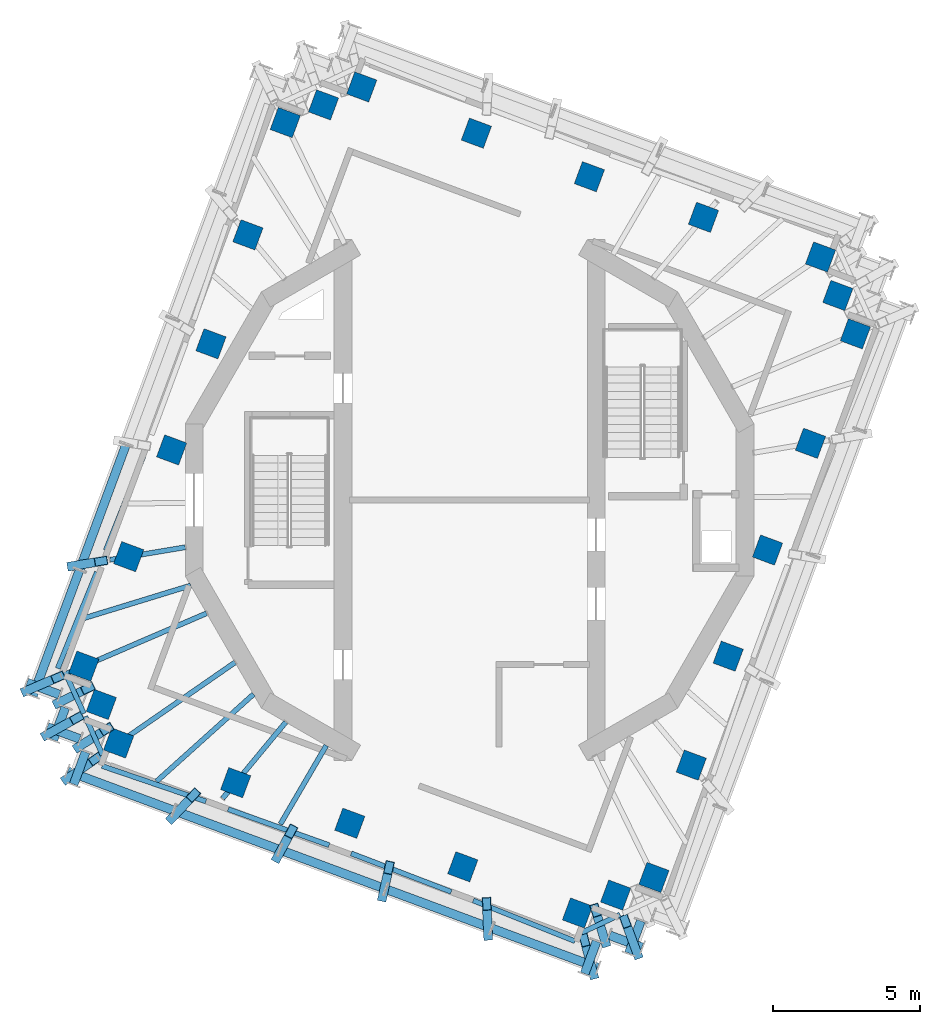
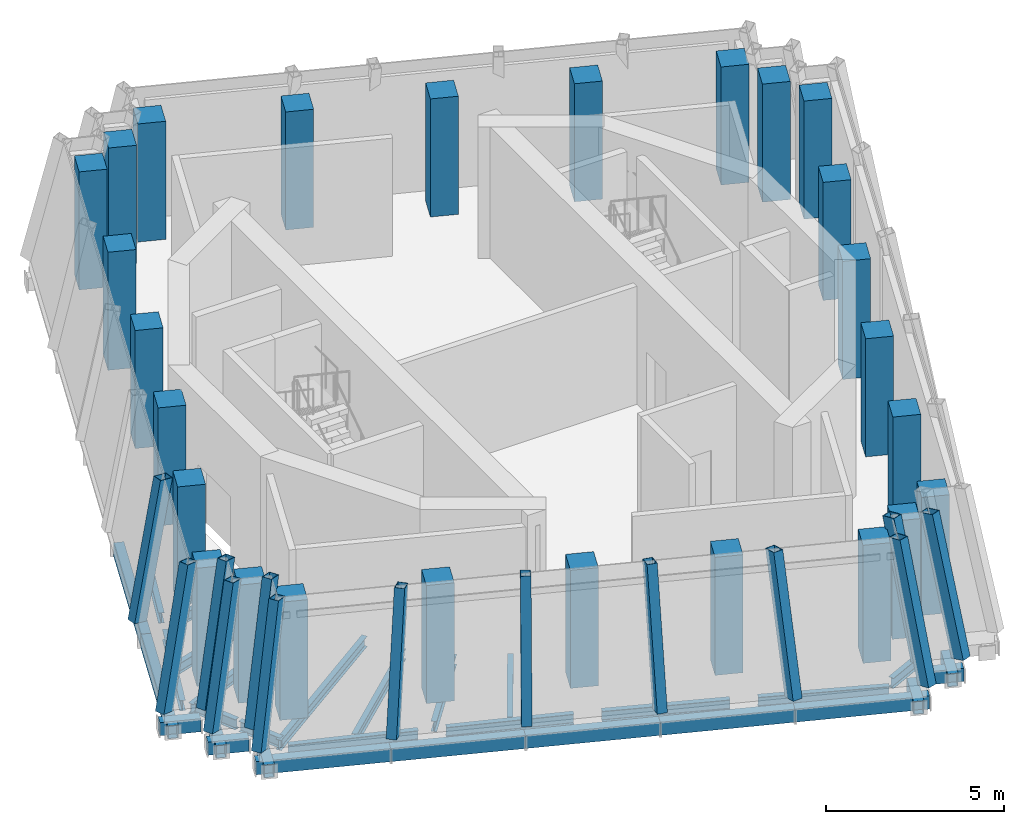
# One storey, part 1 of 11: 27 members, 26 columns, 16 beams, 14 elements without a shape of their own.
"""IFC4 building model written with IfcOpenShell, lengths in metres."""

from ifc_helpers import new_model, si_unit, direction, frame, origin, origin_2d, place, context, subcontext, project, spatial, rectangle, hollow_rectangle, i_section, extrude, material, material_profile, profile_set, type_object, element, aggregate, save


model = new_model("IFC4")

# Units and contexts
model_context = context("Model", 3, precision=1e-05, world=origin(), true_north=direction((0.0, 1.0)))
body_context = subcontext(model_context, "Body", "Model", "MODEL_VIEW")
ifc_project = project(units=[si_unit("LENGTHUNIT", "METRE"), si_unit("AREAUNIT", "SQUARE_METRE"), si_unit("VOLUMEUNIT", "CUBIC_METRE"), si_unit("PLANEANGLEUNIT", "RADIAN"), si_unit("MASSUNIT", "GRAM", prefix="KILO")], contexts=[model_context])

# Site, building, storey
site_placement = place(None, origin())
site = spatial("IfcSite", under=ifc_project, at=site_placement, CompositionType="ELEMENT")
building_placement = place(site_placement, origin())
building = spatial("IfcBuilding", under=site, at=building_placement, Name="Cantera Rosa Tower", CompositionType="ELEMENT")
storey_placement = place(building_placement, frame((0.0, 0.0, 365.199951171875)))
storey = spatial("IfcBuildingStorey", under=building, at=storey_placement, Name="L82", CompositionType="ELEMENT", Elevation=365.199951171875)

# Columns
ifc_material_1 = material(Name="Concrete C50/60", Category="concrete")
ifc_material_profile_1 = material_profile(ifc_material_1, rectangle(XDim=0.800048828125, YDim=0.800048828125, at=origin_2d()), Name="RC COLUMN RC800X800 C50/60")
ifc_profile_set_1 = profile_set([ifc_material_profile_1], Name="Concrete C50/60")
column_type = type_object("IfcColumnType", Name="RC COLUMN RC800X800 C50/60", PredefinedType="COLUMN", material=ifc_profile_set_1)
for number, where, z_axis, x_axis, name in (
    (1, (11.92333984375, 8.255859375, 0.0), (0.0, 0.0, 1.0), (0.347481234489, 0.937686936924, 0.0), "C-Z6-01 L82"),
    (2, (7.946533203125, 9.603271484375, 0.0), (0.0, 0.0, 1.0), (0.347481234489, 0.937686936924, 0.0), "C-Z6-02 L82"),
    (3, (4.070068359375, 10.983154296875, 0.0), (0.0, 0.0, 1.0), (0.347481234489, 0.937686936924, 0.0), "C-Z6-03 L82"),
    (4, (0.23046875, 12.462646484375, 0.0), (0.0, 0.0, 1.0), (0.347481234489, 0.937686936924, 0.0), "C-Z6-04 L82"),
    (5, (-3.6640625, 14.031982421875, 0.0), (0.0, 0.0, 1.0), (0.347481234489, 0.937686936924, 0.0), "C-Z6-05 L82"),
    (6, (-4.962646484375, 13.4228515625, 0.0), (0.0, 0.0, 1.0), (0.347481234489, 0.937686936924, 0.0), "C-Z6-06 L82"),
    (7, (-6.262939453125, 12.82275390625, 0.0), (0.0, 0.0, 1.0), (0.347481234489, 0.937686936924, 0.0), "C-Z6-07 L82"),
    (8, (-7.530517578125, 9.008056640625, 0.0), (0.0, 0.0, 1.0), (0.347481234489, 0.937686936924, 0.0), "C-Z6-08 L82"),
    (9, (-8.786376953125, 5.306396484375, 0.0), (0.0, 0.0, 1.0), (0.347481234489, 0.937686936924, 0.0), "C-Z6-09 L82"),
    (10, (-10.12255859375, 1.70068359375, 0.0), (0.0, 0.0, 1.0), (0.347481234489, 0.937686936924, 0.0), "C-Z6-10 L82"),
    (11, (-11.582275390625, -1.925537109375, 0.0), (0.0, 0.0, 1.0), (0.347481234489, 0.937686936924, 0.0), "C-Z6-11 L82"),
    (12, (-13.106689453125, -5.644775390625, 0.0), (0.0, 0.0, 1.0), (0.347481234489, 0.937686936924, 0.0), "C-Z6-12 L82"),
    (13, (-12.51123046875, -6.947509765625, 0.0), (0.0, 0.0, 1.0), (0.347481234489, 0.937686936924, 0.0), "C-Z6-13 L82"),
    (14, (-11.92333984375, -8.255859375, 0.0), (0.0, 0.0, 1.0), (0.347481234489, 0.937686936924, 0.0), "C-Z6-14 L82"),
    (15, (-7.946533203125, -9.603271484375, 0.0), (0.0, 0.0, 1.0), (0.347481234489, 0.937686936924, 0.0), "C-Z6-15 L82"),
    (16, (-4.070068359375, -10.983154296875, 0.0), (0.0, 0.0, 1.0), (0.347481234489, 0.937686936924, 0.0), "C-Z6-16 L82"),
    (17, (-0.23046875, -12.462646484375, 0.0), (0.0, 0.0, 1.0), (0.347481234489, 0.937686936924, 0.0), "C-Z6-17 L82"),
    (18, (3.6640625, -14.031982421875, 0.0), (0.0, 0.0, 1.0), (0.347481234489, 0.937686936924, 0.0), "C-Z6-18 L82"),
    (19, (4.962646484375, -13.4228515625, 0.0), (0.0, 0.0, 1.0), (0.347481234489, 0.937686936924, 0.0), "C-Z6-19 L82"),
    (20, (6.262939453125, -12.82275390625, 0.0), (0.0, 0.0, 1.0), (0.347481234489, 0.937686936924, 0.0), "C-Z6-20 L82"),
    (21, (7.530517578125, -9.008056640625, 0.0), (0.0, 0.0, 1.0), (0.347481234489, 0.937686936924, 0.0), "C-Z6-21 L82"),
    (22, (8.786376953125, -5.306396484375, 0.0), (0.0, 0.0, 1.0), (0.347481234489, 0.937686936924, 0.0), "C-Z6-22 L82"),
    (23, (10.12255859375, -1.70068359375, 0.0), (0.0, 0.0, 1.0), (0.347481234489, 0.937686936924, 0.0), "C-Z6-23 L82"),
    (24, (11.582275390625, 1.925537109375, 0.0), (0.0, 0.0, 1.0), (0.347481234489, 0.937686936924, 0.0), "C-Z6-24 L82"),
    (25, (13.106689453125, 5.644775390625, 0.0), (0.0, 0.0, 1.0), (0.347481234489, 0.937686936924, 0.0), "C-Z6-25 L82"),
    (26, (12.51123046875, 6.947509765625, 0.0), (0.0, 0.0, 1.0), (0.347481234489, 0.937686936924, 0.0), "C-Z6-26 L82"),
):
    element("IfcColumn", number, at=place(storey_placement, frame(where, z_axis=z_axis, x_axis=x_axis)), inside=storey, type_object=column_type, Name=name, PredefinedType="COLUMN", context=body_context, shape_type="SweptSolid", body=[
        extrude(rectangle(XDim=0.800048828125, YDim=0.800048828125, at=origin_2d()), origin(), (0.0, 0.0, 1.0), 4.050048828125),
    ])

# Curtain wall, member
ifc_material_2 = material(Name="Aluminium frame with clear glass", Category="aluminium")
curtain_wall_type = type_object("IfcCurtainWallType", Name="CW4 CROWN GLAZING", PredefinedType="NOTDEFINED", material=ifc_material_2)
curtain_wall_1_placement = place(storey_placement, origin())
curtain_wall_1 = element("IfcCurtainWall", 27, at=curtain_wall_1_placement, inside=storey, type_object=curtain_wall_type, Name="CW4 L82-14", PredefinedType="NOTDEFINED")
ifc_material_3 = material(Name="Steel S355J2 (EN 10025-2)", Category="steel")
ifc_material_profile_2 = material_profile(ifc_material_3, hollow_rectangle(XDim=0.300048828125, YDim=0.449951171875, WallThickness=0.01611328125, at=origin_2d()), Name="CROWN FRAME MULLION RHS 300x450x16")
ifc_profile_set_2 = profile_set([ifc_material_profile_2], Name="Steel S355J2 (EN 10025-2)")
member_type_1 = type_object("IfcMemberType", Name="CROWN FRAME MULLION RHS 300x450x16", PredefinedType="MULLION", material=ifc_profile_set_2)
member_1_placement = place(storey_placement, frame((-13.44677734375, -2.2353515625, 0.0), z_axis=(0.201752441202, 0.0335103423, 0.978863120885), x_axis=(-0.163851550291, 0.986485007219, 0.0)))
member_1 = element("IfcMember", 28, at=member_1_placement, type_object=member_type_1, Name="CROWN FRAME rib L82-14", PredefinedType="MULLION", context=body_context, shape_type="SweptSolid", body=[
    extrude(hollow_rectangle(XDim=0.300048828125, YDim=0.449951171875, WallThickness=0.01611328125, at=origin_2d()), origin(), (0.0, 0.0, 1.0), 4.59716796875),
])

curtain_wall_2_placement = place(storey_placement, origin())
curtain_wall_2 = element("IfcCurtainWall", 29, at=curtain_wall_2_placement, inside=storey, type_object=curtain_wall_type, Name="CW4 L82-15", PredefinedType="NOTDEFINED")
member_2_placement = place(storey_placement, frame((-15.0146484375, -6.466552734375, 0.0), z_axis=(0.223192294228, 0.096097413172, 0.970026023867), x_axis=(-0.395460887755, 0.918482817616, 0.0)))
member_2 = element("IfcMember", 30, at=member_2_placement, type_object=member_type_1, Name="CROWN FRAME rib L82-15", PredefinedType="MULLION", context=body_context, shape_type="SweptSolid", body=[
    extrude(hollow_rectangle(XDim=0.300048828125, YDim=0.449951171875, WallThickness=0.01611328125, at=origin_2d()), origin(), (0.0, 0.0, 1.0), 4.63916015625),
])

curtain_wall_3_placement = place(storey_placement, origin())
curtain_wall_3 = element("IfcCurtainWall", 31, at=curtain_wall_3_placement, inside=storey, type_object=curtain_wall_type, Name="CW4 L82-16", PredefinedType="NOTDEFINED")
member_3_placement = place(storey_placement, frame((-13.927001953125, -6.86962890625, 0.0), z_axis=(0.207634773249, 0.102392338613, 0.972832775934), x_axis=(-0.442282435739, 0.896875825874, 0.0)))
member_3 = element("IfcMember", 32, at=member_3_placement, type_object=member_type_1, Name="CROWN FRAME rib L82-16", PredefinedType="MULLION", context=body_context, shape_type="SweptSolid", body=[
    extrude(hollow_rectangle(XDim=0.300048828125, YDim=0.449951171875, WallThickness=0.01611328125, at=origin_2d()), origin(), (0.0, 0.0, 1.0), 4.625732421875),
])

curtain_wall_4_placement = place(storey_placement, origin())
curtain_wall_4 = element("IfcCurtainWall", 33, at=curtain_wall_4_placement, inside=storey, type_object=curtain_wall_type, Name="CW4 L82-17", PredefinedType="NOTDEFINED")
member_4_placement = place(storey_placement, frame((-14.330078125, -7.95751953125, 0.0), z_axis=(0.212999998171, 0.118286560249, 0.96986560432), x_axis=(-0.485496229045, 0.874238761199, 0.0)))
member_4 = element("IfcMember", 34, at=member_4_placement, type_object=member_type_1, Name="CROWN FRAME rib L82-17", PredefinedType="MULLION", context=body_context, shape_type="SweptSolid", body=[
    extrude(hollow_rectangle(XDim=0.300048828125, YDim=0.449951171875, WallThickness=0.01611328125, at=origin_2d()), origin(), (0.0, 0.0, 1.0), 4.639892578125),
])

curtain_wall_5_placement = place(storey_placement, origin())
curtain_wall_5 = element("IfcCurtainWall", 35, at=curtain_wall_5_placement, inside=storey, type_object=curtain_wall_type, Name="CW4 L82-18", PredefinedType="NOTDEFINED")
member_5_placement = place(storey_placement, frame((-13.2421875, -8.360595703125, 0.0), z_axis=(0.197305780867, 0.124608624173, 0.972390415223), x_axis=(-0.533975980115, 0.845499646753, 0.0)))
member_5 = element("IfcMember", 36, at=member_5_placement, type_object=member_type_1, Name="CROWN FRAME rib L82-18", PredefinedType="MULLION", context=body_context, shape_type="SweptSolid", body=[
    extrude(hollow_rectangle(XDim=0.300048828125, YDim=0.449951171875, WallThickness=0.01611328125, at=origin_2d()), origin(), (0.0, 0.0, 1.0), 4.627685546875),
])

curtain_wall_6_placement = place(storey_placement, origin())
curtain_wall_6 = element("IfcCurtainWall", 37, at=curtain_wall_6_placement, inside=storey, type_object=curtain_wall_type, Name="CW4 L82-19", PredefinedType="NOTDEFINED")
member_6_placement = place(storey_placement, frame((-13.645263671875, -9.4482421875, 0.0), z_axis=(0.202641387335, 0.140334681577, 0.969145316908), x_axis=(-0.569331987511, 0.822107710703, 0.0)))
member_6 = element("IfcMember", 38, at=member_6_placement, type_object=member_type_1, Name="CROWN FRAME rib L82-19", PredefinedType="MULLION", context=body_context, shape_type="SweptSolid", body=[
    extrude(hollow_rectangle(XDim=0.300048828125, YDim=0.449951171875, WallThickness=0.01611328125, at=origin_2d()), origin(), (0.0, 0.0, 1.0), 4.643310546875),
])

curtain_wall_7_placement = place(storey_placement, origin())
curtain_wall_7 = element("IfcCurtainWall", 39, at=curtain_wall_7_placement, inside=storey, type_object=curtain_wall_type, Name="CW4 L82-20", PredefinedType="NOTDEFINED")
member_7_placement = place(storey_placement, frame((-10.07763671875, -10.770263671875, 0.0), z_axis=(0.150658584128, 0.160977665233, 0.975391297031), x_axis=(-0.730120754726, 0.683318142243, 0.0)))
member_7 = element("IfcMember", 40, at=member_7_placement, type_object=member_type_1, Name="CROWN FRAME rib L82-20", PredefinedType="MULLION", context=body_context, shape_type="SweptSolid", body=[
    extrude(hollow_rectangle(XDim=0.300048828125, YDim=0.449951171875, WallThickness=0.01611328125, at=origin_2d()), origin(), (0.0, 0.0, 1.0), 4.613525390625),
])

curtain_wall_8_placement = place(storey_placement, origin())
curtain_wall_8 = element("IfcCurtainWall", 41, at=curtain_wall_8_placement, inside=storey, type_object=curtain_wall_type, Name="CW4 L82-21", PredefinedType="NOTDEFINED")
member_8_placement = place(storey_placement, frame((-6.510009765625, -12.092529296875, 0.0), z_axis=(0.097632922217, 0.181356205706, 0.978559011584), x_axis=(-0.880512480257, 0.474022965806, 0.0)))
member_8 = element("IfcMember", 42, at=member_8_placement, type_object=member_type_1, Name="CROWN FRAME rib L82-21", PredefinedType="MULLION", context=body_context, shape_type="SweptSolid", body=[
    extrude(hollow_rectangle(XDim=0.300048828125, YDim=0.449951171875, WallThickness=0.01611328125, at=origin_2d()), origin(), (0.0, 0.0, 1.0), 4.5986328125),
])

curtain_wall_9_placement = place(storey_placement, origin())
curtain_wall_9 = element("IfcCurtainWall", 43, at=curtain_wall_9_placement, inside=storey, type_object=curtain_wall_type, Name="CW4 L82-22", PredefinedType="NOTDEFINED")
member_9_placement = place(storey_placement, frame((-2.942138671875, -13.41455078125, 0.0), z_axis=(0.044118218444, 0.201159963519, 0.978564383103), x_axis=(-0.976783829743, 0.214227332414, 0.0)))
member_9 = element("IfcMember", 44, at=member_9_placement, type_object=member_type_1, Name="CROWN FRAME rib L82-22", PredefinedType="MULLION", context=body_context, shape_type="SweptSolid", body=[
    extrude(hollow_rectangle(XDim=0.300048828125, YDim=0.449951171875, WallThickness=0.01611328125, at=origin_2d()), origin(), (0.0, 0.0, 1.0), 4.5986328125),
])

curtain_wall_10_placement = place(storey_placement, origin())
curtain_wall_10 = element("IfcCurtainWall", 45, at=curtain_wall_10_placement, inside=storey, type_object=curtain_wall_type, Name="CW4 L82-23", PredefinedType="NOTDEFINED")
member_10_placement = place(storey_placement, frame((0.62548828125, -14.736572265625, 0.0), z_axis=(-0.009366514803, 0.220298311451, 0.975387575465), x_axis=(-0.999097358313, -0.042479037334, 0.0)))
member_10 = element("IfcMember", 46, at=member_10_placement, type_object=member_type_1, Name="CROWN FRAME rib L82-23", PredefinedType="MULLION", context=body_context, shape_type="SweptSolid", body=[
    extrude(hollow_rectangle(XDim=0.300048828125, YDim=0.449951171875, WallThickness=0.01611328125, at=origin_2d()), origin(), (0.0, 0.0, 1.0), 4.613525390625),
])

curtain_wall_11_placement = place(storey_placement, origin())
curtain_wall_11 = element("IfcCurtainWall", 47, at=curtain_wall_11_placement, inside=storey, type_object=curtain_wall_type, Name="CW4 L82-24", PredefinedType="NOTDEFINED")
member_11_placement = place(storey_placement, frame((4.193115234375, -16.058837890625, 0.0), z_axis=(-0.062253321843, 0.238550102365, 0.96913279409), x_axis=(-0.967594620627, -0.252508712987, 0.0)))
member_11 = element("IfcMember", 48, at=member_11_placement, type_object=member_type_1, Name="CROWN FRAME rib L82-24", PredefinedType="MULLION", context=body_context, shape_type="SweptSolid", body=[
    extrude(hollow_rectangle(XDim=0.300048828125, YDim=0.449951171875, WallThickness=0.01611328125, at=origin_2d()), origin(), (0.0, 0.0, 1.0), 4.643310546875),
])

curtain_wall_12_placement = place(storey_placement, origin())
curtain_wall_12 = element("IfcCurtainWall", 49, at=curtain_wall_12_placement, inside=storey, type_object=curtain_wall_type, Name="CW4 L82-25", PredefinedType="NOTDEFINED")
member_12_placement = place(storey_placement, frame((4.59619140625, -14.970947265625, 0.0), z_axis=(-0.068476464334, 0.223102440423, 0.97238689569), x_axis=(-0.955984057703, -0.293418611232, 0.0)))
member_12 = element("IfcMember", 50, at=member_12_placement, type_object=member_type_1, Name="CROWN FRAME rib L82-25", PredefinedType="MULLION", context=body_context, shape_type="SweptSolid", body=[
    extrude(hollow_rectangle(XDim=0.300048828125, YDim=0.449951171875, WallThickness=0.01611328125, at=origin_2d()), origin(), (0.0, 0.0, 1.0), 4.627685546875),
])

curtain_wall_13_placement = place(storey_placement, origin())
curtain_wall_13 = element("IfcCurtainWall", 51, at=curtain_wall_13_placement, inside=storey, type_object=curtain_wall_type, Name="CW4 L82-26", PredefinedType="NOTDEFINED")
member_13_placement = place(storey_placement, frame((5.68408203125, -15.3740234375, 0.0), z_axis=(-0.084505308064, 0.228522137559, 0.9698641583), x_axis=(-0.937925785431, -0.346836014599, 0.0)))
member_13 = element("IfcMember", 52, at=member_13_placement, type_object=member_type_1, Name="CROWN FRAME rib L82-26", PredefinedType="MULLION", context=body_context, shape_type="SweptSolid", body=[
    extrude(hollow_rectangle(XDim=0.300048828125, YDim=0.449951171875, WallThickness=0.01611328125, at=origin_2d()), origin(), (0.0, 0.0, 1.0), 4.639892578125),
])

curtain_wall_14_placement = place(storey_placement, origin())
curtain_wall_14 = element("IfcCurtainWall", 53, at=curtain_wall_14_placement, inside=storey, type_object=curtain_wall_type, Name="CW4 L82-13", PredefinedType="NOTDEFINED")
ifc_material_4 = material(Name="Steel S355J2 (EN 10025-2)", Category="steel")
ifc_material_profile_3 = material_profile(ifc_material_4, hollow_rectangle(XDim=0.300048828125, YDim=0.449951171875, WallThickness=0.01611328125, at=origin_2d()), Name="CROWN FRAME PURLIN RHS 300x450x16")
ifc_profile_set_3 = profile_set([ifc_material_profile_3], Name="Steel S355J2 (EN 10025-2)")
member_type_2 = type_object("IfcMemberType", Name="CROWN FRAME PURLIN RHS 300x450x16", PredefinedType="PURLIN", material=ifc_profile_set_3)
member_14_placement = place(storey_placement, frame((-11.667236328125, 1.894775390625, -0.675048828125), z_axis=(-0.347508133857, -0.937676968312, 0.0), x_axis=(0.937676968312, -0.347508133857, 0.0)))
member_14 = element("IfcMember", 54, at=member_14_placement, type_object=member_type_2, Name="CROWN FRAME purlin L82-13", PredefinedType="PURLIN", context=body_context, shape_type="SweptSolid", body=[
    extrude(hollow_rectangle(XDim=0.300048828125, YDim=0.449951171875, WallThickness=0.01611328125, at=origin_2d()), origin(), (0.0, 0.0, 1.0), 4.5546875),
])
aggregate(curtain_wall_14, [member_14])

# Member
member_15_placement = place(storey_placement, frame((-13.25, -2.3759765625, -0.675048828125), z_axis=(-0.347490668123, -0.937683441022, 0.0), x_axis=(0.937683441022, -0.347490668123, 0.0)))
member_15 = element("IfcMember", 55, at=member_15_placement, type_object=member_type_2, Name="CROWN FRAME purlin L82-14", PredefinedType="PURLIN", context=body_context, shape_type="SweptSolid", body=[
    extrude(hollow_rectangle(XDim=0.300048828125, YDim=0.449951171875, WallThickness=0.01611328125, at=origin_2d()), origin(), (0.0, 0.0, 1.0), 4.554931640625),
])

aggregate(curtain_wall_1, [member_1, member_15])

member_16_placement = place(storey_placement, frame((-15.036376953125, -6.204345703125, -0.675048828125), z_axis=(0.937718573213, -0.347395851228, 0.0), x_axis=(0.347395851228, 0.937718573213, 0.0)))
member_16 = element("IfcMember", 56, at=member_16_placement, type_object=member_type_2, Name="CROWN FRAME purlin L82-15", PredefinedType="PURLIN", context=body_context, shape_type="SweptSolid", body=[
    extrude(hollow_rectangle(XDim=0.300048828125, YDim=0.449951171875, WallThickness=0.01611328125, at=origin_2d()), origin(), (0.0, 0.0, 1.0), 1.1708984375),
])

aggregate(curtain_wall_2, [member_2, member_16])

member_17_placement = place(storey_placement, frame((-13.735107421875, -7.054931640625, -0.675048828125), z_axis=(-0.347395851228, -0.937718573213, 0.0), x_axis=(0.937718573213, -0.347395851228, 0.0)))
member_17 = element("IfcMember", 57, at=member_17_placement, type_object=member_type_2, Name="CROWN FRAME purlin L82-16", PredefinedType="PURLIN", context=body_context, shape_type="SweptSolid", body=[
    extrude(hollow_rectangle(XDim=0.300048828125, YDim=0.449951171875, WallThickness=0.01611328125, at=origin_2d()), origin(), (0.0, 0.0, 1.0), 1.1708984375),
])

aggregate(curtain_wall_3, [member_3, member_17])

member_18_placement = place(storey_placement, frame((-14.344482421875, -7.70947265625, -0.675048828125), z_axis=(0.937718573213, -0.347395851228, 0.0), x_axis=(0.347395851228, 0.937718573213, 0.0)))
member_18 = element("IfcMember", 58, at=member_18_placement, type_object=member_type_2, Name="CROWN FRAME purlin L82-17", PredefinedType="PURLIN", context=body_context, shape_type="SweptSolid", body=[
    extrude(hollow_rectangle(XDim=0.300048828125, YDim=0.449951171875, WallThickness=0.01611328125, at=origin_2d()), origin(), (0.0, 0.0, 1.0), 1.1708984375),
])

aggregate(curtain_wall_4, [member_4, member_18])

member_19_placement = place(storey_placement, frame((-13.044189453125, -8.560791015625, -0.675048828125), z_axis=(-0.3475112458, -0.937675815003, 0.0), x_axis=(0.937675815003, -0.3475112458, 0.0)))
member_19 = element("IfcMember", 59, at=member_19_placement, type_object=member_type_2, Name="CROWN FRAME purlin L82-18", PredefinedType="PURLIN", context=body_context, shape_type="SweptSolid", body=[
    extrude(hollow_rectangle(XDim=0.300048828125, YDim=0.449951171875, WallThickness=0.01611328125, at=origin_2d()), origin(), (0.0, 0.0, 1.0), 1.171142578125),
])

aggregate(curtain_wall_5, [member_5, member_19])

member_20_placement = place(storey_placement, frame((-13.652587890625, -9.21435546875, -0.675048828125), z_axis=(0.937698901697, -0.34744894554, 0.0), x_axis=(0.34744894554, 0.937698901697, 0.0)))
member_20 = element("IfcMember", 60, at=member_20_placement, type_object=member_type_2, Name="CROWN FRAME purlin L82-19", PredefinedType="PURLIN", context=body_context, shape_type="SweptSolid", body=[
    extrude(hollow_rectangle(XDim=0.300048828125, YDim=0.449951171875, WallThickness=0.01611328125, at=origin_2d()), origin(), (0.0, 0.0, 1.0), 3.840087890625),
])

aggregate(curtain_wall_6, [member_6, member_20])

member_21_placement = place(storey_placement, frame((-10.0517578125, -10.548583984375, -0.675048828125), z_axis=(0.937670508839, -0.347525562877, 0.0), x_axis=(0.347525562877, 0.937670508839, 0.0)))
member_21 = element("IfcMember", 61, at=member_21_placement, type_object=member_type_2, Name="CROWN FRAME purlin L82-20", PredefinedType="PURLIN", context=body_context, shape_type="SweptSolid", body=[
    extrude(hollow_rectangle(XDim=0.300048828125, YDim=0.449951171875, WallThickness=0.01611328125, at=origin_2d()), origin(), (0.0, 0.0, 1.0), 3.83984375),
])

aggregate(curtain_wall_7, [member_7, member_21])

member_22_placement = place(storey_placement, frame((-6.451171875, -11.883056640625, -0.675048828125), z_axis=(0.937698901697, -0.34744894554, 0.0), x_axis=(0.34744894554, 0.937698901697, 0.0)))
member_22 = element("IfcMember", 62, at=member_22_placement, type_object=member_type_2, Name="CROWN FRAME purlin L82-21", PredefinedType="PURLIN", context=body_context, shape_type="SweptSolid", body=[
    extrude(hollow_rectangle(XDim=0.300048828125, YDim=0.449951171875, WallThickness=0.01611328125, at=origin_2d()), origin(), (0.0, 0.0, 1.0), 3.840087890625),
])

aggregate(curtain_wall_8, [member_8, member_22])

member_23_placement = place(storey_placement, frame((-2.850341796875, -13.21728515625, -0.675048828125), z_axis=(0.937670508839, -0.347525562877, 0.0), x_axis=(0.347525562877, 0.937670508839, 0.0)))
member_23 = element("IfcMember", 63, at=member_23_placement, type_object=member_type_2, Name="CROWN FRAME purlin L82-22", PredefinedType="PURLIN", context=body_context, shape_type="SweptSolid", body=[
    extrude(hollow_rectangle(XDim=0.300048828125, YDim=0.449951171875, WallThickness=0.01611328125, at=origin_2d()), origin(), (0.0, 0.0, 1.0), 3.83984375),
])

aggregate(curtain_wall_9, [member_9, member_23])

member_24_placement = place(storey_placement, frame((0.750244140625, -14.5517578125, -0.675048828125), z_axis=(0.937698901697, -0.34744894554, 0.0), x_axis=(0.34744894554, 0.937698901697, 0.0)))
member_24 = element("IfcMember", 64, at=member_24_placement, type_object=member_type_2, Name="CROWN FRAME purlin L82-23", PredefinedType="PURLIN", context=body_context, shape_type="SweptSolid", body=[
    extrude(hollow_rectangle(XDim=0.300048828125, YDim=0.449951171875, WallThickness=0.01611328125, at=origin_2d()), origin(), (0.0, 0.0, 1.0), 3.840087890625),
])

aggregate(curtain_wall_10, [member_10, member_24])

member_25_placement = place(storey_placement, frame((3.908447265625, -16.092041015625, -0.675048828125), z_axis=(0.3475112458, 0.937675815003, 0.0), x_axis=(-0.937675815003, 0.3475112458, 0.0)))
member_25 = element("IfcMember", 65, at=member_25_placement, type_object=member_type_2, Name="CROWN FRAME purlin L82-24", PredefinedType="PURLIN", context=body_context, shape_type="SweptSolid", body=[
    extrude(hollow_rectangle(XDim=0.300048828125, YDim=0.449951171875, WallThickness=0.01611328125, at=origin_2d()), origin(), (0.0, 0.0, 1.0), 1.171142578125),
])

aggregate(curtain_wall_11, [member_11, member_25])

member_26_placement = place(storey_placement, frame((4.758544921875, -14.78857421875, -0.675048828125), z_axis=(0.937718573213, -0.347395851228, 0.0), x_axis=(0.347395851228, 0.937718573213, 0.0)))
member_26 = element("IfcMember", 66, at=member_26_placement, type_object=member_type_2, Name="CROWN FRAME purlin L82-25", PredefinedType="PURLIN", context=body_context, shape_type="SweptSolid", body=[
    extrude(hollow_rectangle(XDim=0.300048828125, YDim=0.449951171875, WallThickness=0.01611328125, at=origin_2d()), origin(), (0.0, 0.0, 1.0), 1.1708984375),
])

aggregate(curtain_wall_12, [member_12, member_26])

member_27_placement = place(storey_placement, frame((5.4140625, -15.39990234375, -0.675048828125), z_axis=(0.347327935918, 0.937743730947, 0.0), x_axis=(-0.937743730947, 0.347327935918, 0.0)))
member_27 = element("IfcMember", 67, at=member_27_placement, type_object=member_type_2, Name="CROWN FRAME purlin L82-26", PredefinedType="PURLIN", context=body_context, shape_type="SweptSolid", body=[
    extrude(hollow_rectangle(XDim=0.300048828125, YDim=0.449951171875, WallThickness=0.01611328125, at=origin_2d()), origin(), (0.0, 0.0, 1.0), 1.171142578125),
])

aggregate(curtain_wall_13, [member_13, member_27])

# Beams
ifc_material_5 = material(Name="Steel ASTM A992 (Fy 345 MPa)", Category="steel")
ifc_material_profile_4 = material_profile(ifc_material_5, i_section(OverallWidth=0.1708984375, OverallDepth=0.35595703125, WebThickness=0.00732421875, FlangeThickness=0.01171875, FilletRadius=0.010009765625, at=origin_2d()), Name="W360X51")
ifc_profile_set_4 = profile_set([ifc_material_profile_4], Name="Steel ASTM A992 (Fy 345 MPa)")
beam_type_1 = type_object("IfcBeamType", Name="STEEL BEAM W360X51", PredefinedType="BEAM", material=ifc_profile_set_4)
beam_1_placement = place(storey_placement, frame((-12.213623046875, -2.030517578125, -0.6279296875), z_axis=(0.98645246769, 0.164047337645, 0.0), x_axis=(-0.164047337645, 0.98645246769, 0.0)))
element("IfcBeam", 68, at=beam_1_placement, inside=storey, type_object=beam_type_1, Name="CG-Z6-05 L82", PredefinedType="BEAM", context=body_context, shape_type="SweptSolid", body=[
    extrude(i_section(OverallWidth=0.1708984375, OverallDepth=0.35595703125, WebThickness=0.00732421875, FlangeThickness=0.01171875, FilletRadius=0.010009765625, at=origin_2d()), origin(), (0.0, 0.0, 1.0), 2.589599609375),
])
beam_2_placement = place(storey_placement, frame((-13.86669921875, -5.97216796875, -0.6279296875), z_axis=(0.918450207222, 0.395536618854, 0.0), x_axis=(-0.395536618854, 0.918450207222, 0.0)))
element("IfcBeam", 69, at=beam_2_placement, inside=storey, type_object=beam_type_1, Name="CG-Z6-06 L82", PredefinedType="BEAM", context=body_context, shape_type="SweptSolid", body=[
    extrude(i_section(OverallWidth=0.1708984375, OverallDepth=0.35595703125, WebThickness=0.00732421875, FlangeThickness=0.01171875, FilletRadius=0.010009765625, at=origin_2d()), origin(), (0.0, 0.0, 1.0), 5.37255859375),
])
beam_3_placement = place(storey_placement, frame((-12.61767578125, -8.736572265625, -0.6279296875), z_axis=(0.822157998334, 0.569259365997, 0.0), x_axis=(-0.569259365997, 0.822157998334, 0.0)))
element("IfcBeam", 70, at=beam_3_placement, inside=storey, type_object=beam_type_1, Name="CG-Z6-07 L82", PredefinedType="BEAM", context=body_context, shape_type="SweptSolid", body=[
    extrude(i_section(OverallWidth=0.1708984375, OverallDepth=0.35595703125, WebThickness=0.00732421875, FlangeThickness=0.01171875, FilletRadius=0.010009765625, at=origin_2d()), origin(), (0.0, 0.0, 1.0), 5.655029296875),
])
beam_4_placement = place(storey_placement, frame((-8.388916015625, -10.1376953125, -0.6279296875), z_axis=(0.637530557707, 0.770425069679, 0.0), x_axis=(-0.770425069679, 0.637530557707, 0.0)))
element("IfcBeam", 71, at=beam_4_placement, inside=storey, type_object=beam_type_1, Name="CG-Z6-08 L82", PredefinedType="BEAM", context=body_context, shape_type="SweptSolid", body=[
    extrude(i_section(OverallWidth=0.1708984375, OverallDepth=0.35595703125, WebThickness=0.00732421875, FlangeThickness=0.01171875, FilletRadius=0.010009765625, at=origin_2d()), origin(), (0.0, 0.0, 1.0), 3.36181640625),
])
beam_5_placement = place(storey_placement, frame((-13.211181640625, -4.050048828125, -0.6279296875), z_axis=(0.956078496875, 0.293110743257, 0.0), x_axis=(-0.293110743257, 0.956078496875, 0.0)))
element("IfcBeam", 72, at=beam_5_placement, inside=storey, type_object=beam_type_1, Name="CB-Z6-06 L82", PredefinedType="BEAM", context=body_context, shape_type="SweptSolid", body=[
    extrude(i_section(OverallWidth=0.1708984375, OverallDepth=0.35595703125, WebThickness=0.00732421875, FlangeThickness=0.01171875, FilletRadius=0.010009765625, at=origin_2d()), origin(), (0.0, 0.0, 1.0), 3.906494140625),
])
beam_6_placement = place(storey_placement, frame((-10.633056640625, -9.557861328125, -0.6279296875), z_axis=(0.743713824579, 0.668498127992, 0.0), x_axis=(-0.668498127992, 0.743713824579, 0.0)))
element("IfcBeam", 73, at=beam_6_placement, inside=storey, type_object=beam_type_1, Name="CB-Z6-07 L82", PredefinedType="BEAM", context=body_context, shape_type="SweptSolid", body=[
    extrude(i_section(OverallWidth=0.1708984375, OverallDepth=0.35595703125, WebThickness=0.00732421875, FlangeThickness=0.01171875, FilletRadius=0.010009765625, at=origin_2d()), origin(), (0.0, 0.0, 1.0), 4.424072265625),
])
beam_7_placement = place(storey_placement, frame((-6.427490234375, -11.01220703125, -0.6279296875), z_axis=(0.504087061279, 0.863652843827, 0.0), x_axis=(-0.863652843827, 0.504087061279, 0.0)))
element("IfcBeam", 74, at=beam_7_placement, inside=storey, type_object=beam_type_1, Name="CB-Z6-08 L82", PredefinedType="BEAM", context=body_context, shape_type="SweptSolid", body=[
    extrude(i_section(OverallWidth=0.1708984375, OverallDepth=0.35595703125, WebThickness=0.00732421875, FlangeThickness=0.01171875, FilletRadius=0.010009765625, at=origin_2d()), origin(), (0.0, 0.0, 1.0), 3.09130859375),
])
ifc_material_6 = material(Name="Steel ASTM A992 (Fy 345 MPa)", Category="steel")
ifc_material_profile_5 = material_profile(ifc_material_6, i_section(OverallWidth=0.1708984375, OverallDepth=0.35595703125, WebThickness=0.00732421875, FlangeThickness=0.01171875, FilletRadius=0.010009765625, at=origin_2d()), Name="W360X51")
ifc_profile_set_5 = profile_set([ifc_material_profile_5], Name="Steel ASTM A992 (Fy 345 MPa)")
beam_type_2 = type_object("IfcBeamType", Name="STEEL SPANDREL BEAM W360X51", PredefinedType="SPANDREL", material=ifc_profile_set_5)
beam_8_placement = place(storey_placement, frame((-11.090576171875, 1.466796875, -0.6279296875), z_axis=(-0.371452220307, -0.928452070938, 0.0), x_axis=(0.928452070938, -0.371452220307, 0.0)))
element("IfcBeam", 75, at=beam_8_placement, inside=storey, type_object=beam_type_2, Name="CEB-Z6-10 L82", PredefinedType="SPANDREL", context=body_context, shape_type="SweptSolid", body=[
    extrude(i_section(OverallWidth=0.1708984375, OverallDepth=0.35595703125, WebThickness=0.00732421875, FlangeThickness=0.01171875, FilletRadius=0.010009765625, at=origin_2d()), origin(), (0.0, 0.0, 1.0), 3.419677734375),
])
beam_9_placement = place(storey_placement, frame((-12.660400390625, -2.4501953125, -0.6279296875), z_axis=(-0.376951991999, -0.926232797804, 0.0), x_axis=(0.926232797804, -0.376951991999, 0.0)))
element("IfcBeam", 76, at=beam_9_placement, inside=storey, type_object=beam_type_2, Name="CEB-Z6-11 L82", PredefinedType="SPANDREL", context=body_context, shape_type="SweptSolid", body=[
    extrude(i_section(OverallWidth=0.1708984375, OverallDepth=0.35595703125, WebThickness=0.00732421875, FlangeThickness=0.01171875, FilletRadius=0.010009765625, at=origin_2d()), origin(), (0.0, 0.0, 1.0), 3.530517578125),
])
beam_10_placement = place(storey_placement, frame((-13.700927734375, -5.94970703125, -0.6279296875), z_axis=(0.415956917371, -0.909384320786, 0.0), x_axis=(0.909384320786, 0.415956917371, 0.0)))
element("IfcBeam", 77, at=beam_10_placement, inside=storey, type_object=beam_type_2, Name="CEB-Z6-12 L82", PredefinedType="SPANDREL", context=body_context, shape_type="SweptSolid", body=[
    extrude(i_section(OverallWidth=0.1708984375, OverallDepth=0.35595703125, WebThickness=0.00732421875, FlangeThickness=0.01171875, FilletRadius=0.010009765625, at=origin_2d()), origin(), (0.0, 0.0, 1.0), 1.433837890625),
])
beam_11_placement = place(storey_placement, frame((-13.058349609375, -7.355712890625, -0.6279296875), z_axis=(0.410470683178, -0.911873795134, 0.0), x_axis=(0.911873795134, 0.410470683178, 0.0)))
element("IfcBeam", 78, at=beam_11_placement, inside=storey, type_object=beam_type_2, Name="CEB-Z6-13 L82", PredefinedType="SPANDREL", context=body_context, shape_type="SweptSolid", body=[
    extrude(i_section(OverallWidth=0.1708984375, OverallDepth=0.35595703125, WebThickness=0.00732421875, FlangeThickness=0.01171875, FilletRadius=0.010009765625, at=origin_2d()), origin(), (0.0, 0.0, 1.0), 1.436279296875),
])
beam_12_placement = place(storey_placement, frame((-12.485595703125, -9.03662109375, -0.6279296875), z_axis=(0.946445592965, -0.322863345018, 0.0), x_axis=(0.322863345018, 0.946445592965, 0.0)))
element("IfcBeam", 79, at=beam_12_placement, inside=storey, type_object=beam_type_2, Name="CEB-Z6-14 L82", PredefinedType="SPANDREL", context=body_context, shape_type="SweptSolid", body=[
    extrude(i_section(OverallWidth=0.1708984375, OverallDepth=0.35595703125, WebThickness=0.00732421875, FlangeThickness=0.01171875, FilletRadius=0.010009765625, at=origin_2d()), origin(), (0.0, 0.0, 1.0), 3.726318359375),
])
beam_13_placement = place(storey_placement, frame((-8.203369140625, -10.50341796875, -0.6279296875), z_axis=(0.941775265696, -0.336242990891, 0.0), x_axis=(0.336242990891, 0.941775265696, 0.0)))
element("IfcBeam", 80, at=beam_13_placement, inside=storey, type_object=beam_type_2, Name="CEB-Z6-15 L82", PredefinedType="SPANDREL", context=body_context, shape_type="SweptSolid", body=[
    extrude(i_section(OverallWidth=0.1708984375, OverallDepth=0.35595703125, WebThickness=0.00732421875, FlangeThickness=0.01171875, FilletRadius=0.010009765625, at=origin_2d()), origin(), (0.0, 0.0, 1.0), 3.642822265625),
])
beam_14_placement = place(storey_placement, frame((-4.0224609375, -12.006103515625, -0.6279296875), z_axis=(0.933447486987, -0.358714076998, 0.0), x_axis=(0.358714076998, 0.933447486987, 0.0)))
element("IfcBeam", 81, at=beam_14_placement, inside=storey, type_object=beam_type_2, Name="CEB-Z6-16 L82", PredefinedType="SPANDREL", context=body_context, shape_type="SweptSolid", body=[
    extrude(i_section(OverallWidth=0.1708984375, OverallDepth=0.35595703125, WebThickness=0.00732421875, FlangeThickness=0.01171875, FilletRadius=0.010009765625, at=origin_2d()), origin(), (0.0, 0.0, 1.0), 3.642578125),
])
beam_15_placement = place(storey_placement, frame((0.12255859375, -13.60498046875, -0.6279296875), z_axis=(0.928286801118, -0.371865049273, 0.0), x_axis=(0.371865049273, 0.928286801118, 0.0)))
element("IfcBeam", 82, at=beam_15_placement, inside=storey, type_object=beam_type_2, Name="CEB-Z6-17 L82", PredefinedType="SPANDREL", context=body_context, shape_type="SweptSolid", body=[
    extrude(i_section(OverallWidth=0.1708984375, OverallDepth=0.35595703125, WebThickness=0.00732421875, FlangeThickness=0.01171875, FilletRadius=0.010009765625, at=origin_2d()), origin(), (0.0, 0.0, 1.0), 3.7265625),
])
beam_16_placement = place(storey_placement, frame((3.810791015625, -14.6982421875, -0.6279296875), z_axis=(0.905526293712, 0.42429015001, 0.0), x_axis=(-0.42429015001, 0.905526293712, 0.0)))
element("IfcBeam", 83, at=beam_16_placement, inside=storey, type_object=beam_type_2, Name="CEB-Z6-18 L82", PredefinedType="SPANDREL", context=body_context, shape_type="SweptSolid", body=[
    extrude(i_section(OverallWidth=0.1708984375, OverallDepth=0.35595703125, WebThickness=0.00732421875, FlangeThickness=0.01171875, FilletRadius=0.010009765625, at=origin_2d()), origin(), (0.0, 0.0, 1.0), 1.436279296875),
])

save(model, "model.ifc")
